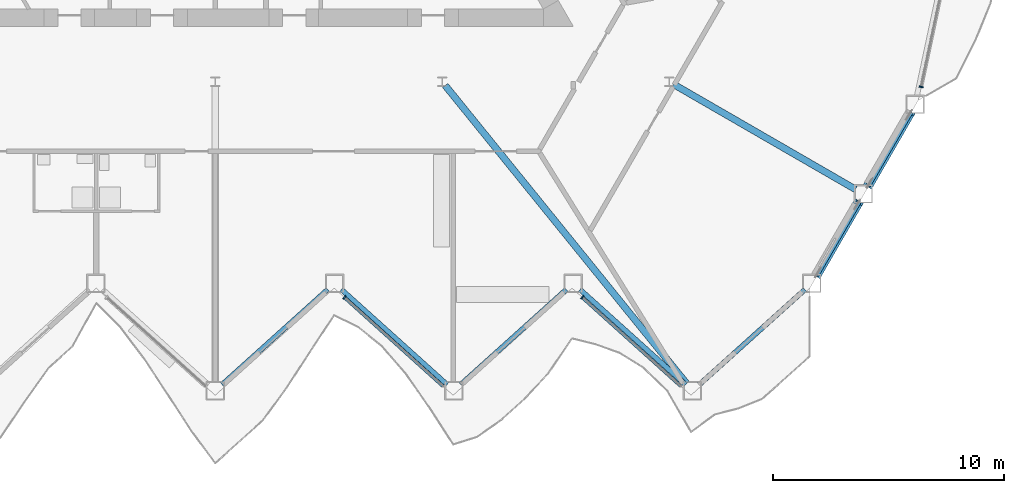
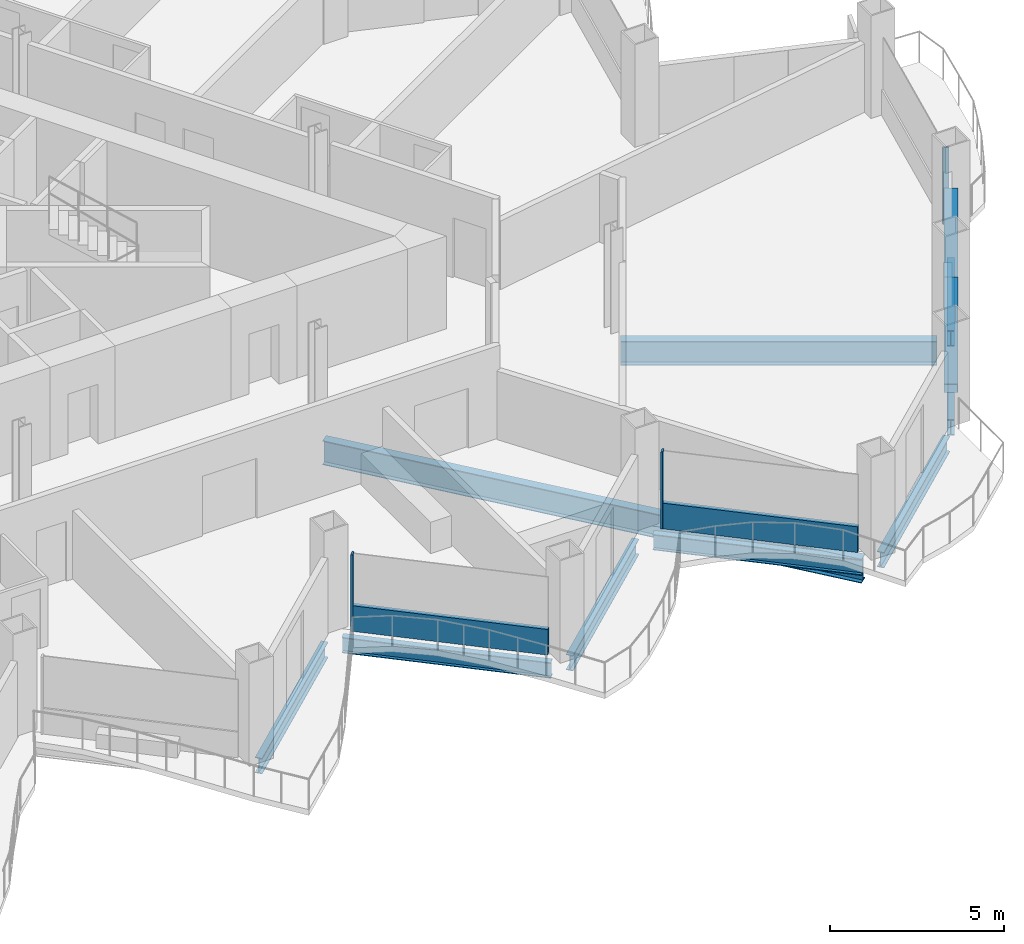
# One storey, part 6 of 24: 9 beams, 7 members, 3 elements without a shape of their own.
"""IFC4 building model written with IfcOpenShell, lengths in metres."""

from ifc_helpers import new_model, si_unit, direction, frame, origin, origin_2d, place, context, subcontext, project, spatial, rectangle, hollow_rectangle, i_section, extrude, material, layer, layer_set, material_profile, profile_set, type_object, element, aggregate, save


model = new_model("IFC4")

# Units and contexts
model_context = context("Model", 3, precision=1e-05, world=origin(), true_north=direction((0.0, 1.0)))
body_context = subcontext(model_context, "Body", "Model", "MODEL_VIEW")
ifc_project = project(units=[si_unit("LENGTHUNIT", "METRE"), si_unit("AREAUNIT", "SQUARE_METRE"), si_unit("VOLUMEUNIT", "CUBIC_METRE"), si_unit("PLANEANGLEUNIT", "RADIAN"), si_unit("MASSUNIT", "GRAM", prefix="KILO")], contexts=[model_context])

# Site, building, storey
site_placement = place(None, origin())
site = spatial("IfcSite", under=ifc_project, at=site_placement, CompositionType="ELEMENT")
building_placement = place(site_placement, origin())
building = spatial("IfcBuilding", under=site, at=building_placement, Name="Cormorant Prow Tower", CompositionType="ELEMENT")
storey_placement = place(building_placement, frame((0.0, 0.0, 201.60009765625)))
storey = spatial("IfcBuildingStorey", under=building, at=storey_placement, Name="L44", CompositionType="ELEMENT", Elevation=201.60009765625)

# Members
ifc_material_1 = material(Name="Structural steel ASTM A500 Gr C", Category="steel")
ifc_material_profile_1 = material_profile(ifc_material_1, hollow_rectangle(XDim=0.406494140625, YDim=0.406494140625, WallThickness=0.01171875, at=origin_2d()), Name="HSS16x16x1/2")
ifc_profile_set_1 = profile_set([ifc_material_profile_1], Name="Structural steel ASTM A500 Gr C")
member_type_1 = type_object("IfcMemberType", Name="Chamfer brace HSS16x16x1/2", PredefinedType="BRACE", material=ifc_profile_set_1)
member_1_placement = place(storey_placement, frame((26.0322265625, -19.7099609375, 0.739990234375), z_axis=(0.474017648602, 0.820985582338, 0.318260808783), x_axis=(-0.866015628144, 0.500016931523, 0.0)))
element("IfcMember", 1, at=member_1_placement, inside=storey, type_object=member_type_1, Name="Chamfer brace BR2 at ESE00 L44", PredefinedType="BRACE", context=body_context, shape_type="SweptSolid", body=[
    extrude(hollow_rectangle(XDim=0.406494140625, YDim=0.406494140625, WallThickness=0.01171875, at=origin_2d()), origin(), (0.0, 0.0, 1.0), 3.83544921875),
])
member_2_placement = place(storey_placement, frame((28.267333984375, -15.838623046875, 0.739990234375), z_axis=(0.473992878603, 0.821006330213, 0.318244177926), x_axis=(-0.866032413668, 0.499987858329, 0.0)))
element("IfcMember", 2, at=member_2_placement, inside=storey, type_object=member_type_1, Name="Chamfer brace BR2 at ESE01 L44", PredefinedType="BRACE", context=body_context, shape_type="SweptSolid", body=[
    extrude(hollow_rectangle(XDim=0.406494140625, YDim=0.406494140625, WallThickness=0.01171875, at=origin_2d()), origin(), (0.0, 0.0, 1.0), 3.835693359375),
])

# Curtain wall, member
ifc_material_2 = material(Name="Aluminium 6063-T6", Category="aluminium")
ifc_layer = layer(ifc_material_2, 0.179931640625)
ifc_layer_set = layer_set([ifc_layer], Name="Aluminium 6063-T6")
curtain_wall_type = type_object("IfcCurtainWallType", Name="Hotel unitised curtain wall 180", PredefinedType="NOTDEFINED", material=ifc_layer_set)
curtain_wall_1_placement = place(storey_placement, origin())
curtain_wall_1 = element("IfcCurtainWall", 3, at=curtain_wall_1_placement, inside=storey, type_object=curtain_wall_type, Name="Hotel curtain wall S06", PredefinedType="NOTDEFINED")
ifc_material_3 = material(Name="Aluminium 6063-T6", Category="aluminium")
ifc_material_profile_2 = material_profile(ifc_material_3, rectangle(XDim=0.179931640625, YDim=0.06005859375, at=origin_2d()), Name="Hotel mullion 60x180")
ifc_profile_set_2 = profile_set([ifc_material_profile_2], Name="Aluminium 6063-T6")
member_type_2 = type_object("IfcMemberType", Name="Hotel mullion 60x180", PredefinedType="MULLION", material=ifc_profile_set_2)
member_3_placement = place(storey_placement, frame((5.592529296875, -20.68017578125, 0.0), z_axis=(0.0, 0.0, 1.0), x_axis=(0.669130595853, 0.743144834937, 0.0)))
member_3 = element("IfcMember", 4, at=member_3_placement, type_object=member_type_2, Name="Hotel mullion S06", PredefinedType="MULLION", context=body_context, shape_type="SweptSolid", body=[
    extrude(rectangle(XDim=0.179931640625, YDim=0.06005859375, at=origin_2d()), origin(), (0.0, 0.0, 1.0), 2.70068359375),
])

curtain_wall_2_placement = place(storey_placement, origin())
curtain_wall_2 = element("IfcCurtainWall", 5, at=curtain_wall_2_placement, inside=storey, type_object=curtain_wall_type, Name="Hotel curtain wall S08", PredefinedType="NOTDEFINED")
member_4_placement = place(storey_placement, frame((15.888427734375, -20.68017578125, 0.0), z_axis=(0.0, 0.0, 1.0), x_axis=(0.669130667631, 0.743144770308, 0.0)))
member_4 = element("IfcMember", 6, at=member_4_placement, type_object=member_type_2, Name="Hotel mullion S08", PredefinedType="MULLION", context=body_context, shape_type="SweptSolid", body=[
    extrude(rectangle(XDim=0.179931640625, YDim=0.06005859375, at=origin_2d()), origin(), (0.0, 0.0, 1.0), 2.70068359375),
])

curtain_wall_3_placement = place(storey_placement, origin())
curtain_wall_3 = element("IfcCurtainWall", 7, at=curtain_wall_3_placement, inside=storey, type_object=curtain_wall_type, Name="Hotel curtain wall ENE00", PredefinedType="NOTDEFINED")
member_5_placement = place(storey_placement, frame((30.557373046875, -11.566650390625, 0.0), z_axis=(0.0, 0.0, 1.0), x_axis=(-0.978147605448, 0.207911668641, 0.0)))
member_5 = element("IfcMember", 8, at=member_5_placement, type_object=member_type_2, Name="Hotel mullion ENE00", PredefinedType="MULLION", context=body_context, shape_type="SweptSolid", body=[
    extrude(rectangle(XDim=0.179931640625, YDim=0.06005859375, at=origin_2d()), origin(), (0.0, 0.0, 1.0), 2.70068359375),
])
aggregate(curtain_wall_3, [member_5])

# Member
ifc_material_4 = material(Name="Terracotta", Category="masonry")
ifc_material_profile_3 = material_profile(ifc_material_4, rectangle(XDim=0.139892578125, YDim=0.89990234375, at=origin_2d()), Name="Hotel terracotta spandrel rail 140x900")
ifc_profile_set_3 = profile_set([ifc_material_profile_3], Name="Terracotta")
member_type_3 = type_object("IfcMemberType", Name="Hotel terracotta spandrel rail 140x900", PredefinedType="USERDEFINED", material=ifc_profile_set_3)
member_6_placement = place(storey_placement, frame((5.61474609375, -20.7001953125, 0.449951171875), z_axis=(0.743154335217, -0.669120044572, 0.0), x_axis=(0.669120044572, 0.743154335217, 0.0)))
member_6 = element("IfcMember", 9, at=member_6_placement, type_object=member_type_3, Name="Hotel spandrel rail S06", ObjectType="TRANSOM", PredefinedType="USERDEFINED", context=body_context, shape_type="SweptSolid", body=[
    extrude(rectangle(XDim=0.139892578125, YDim=0.89990234375, at=origin_2d()), origin(), (0.0, 0.0, 1.0), 5.7314453125),
])

aggregate(curtain_wall_1, [member_3, member_6])

member_7_placement = place(storey_placement, frame((15.910888671875, -20.7001953125, 0.449951171875), z_axis=(0.743135262532, -0.669141226933, 0.0), x_axis=(0.669141226933, 0.743135262532, 0.0)))
member_7 = element("IfcMember", 10, at=member_7_placement, type_object=member_type_3, Name="Hotel spandrel rail S08", ObjectType="TRANSOM", PredefinedType="USERDEFINED", context=body_context, shape_type="SweptSolid", body=[
    extrude(rectangle(XDim=0.139892578125, YDim=0.89990234375, at=origin_2d()), origin(), (0.0, 0.0, 1.0), 5.731201171875),
])

aggregate(curtain_wall_2, [member_4, member_7])

# Beams
ifc_material_5 = material(Name="Structural steel ASTM A992 Gr 50", Category="steel")
ifc_material_profile_4 = material_profile(ifc_material_5, i_section(OverallWidth=0.29296875, OverallDepth=0.845703125, WebThickness=0.015380859375, FlangeThickness=0.0244140625, at=origin_2d()), Name="W33x141")
ifc_profile_set_4 = profile_set([ifc_material_profile_4], Name="Structural steel ASTM A992 Gr 50")
beam_type_1 = type_object("IfcBeamType", Name="Radial floor beam W33x141", PredefinedType="BEAM", material=ifc_profile_set_4)
beam_1_placement = place(storey_placement, frame((9.95654296875, -11.50732421875, -0.77294921875), z_axis=(0.629385162657, -0.777093505974, 0.0), x_axis=(0.777093505974, 0.629385162657, 0.0)))
element("IfcBeam", 11, at=beam_1_placement, inside=storey, type_object=beam_type_1, Name="Radial floor beam FB2 8 L44", PredefinedType="BEAM", context=body_context, shape_type="SweptSolid", body=[
    extrude(i_section(OverallWidth=0.29296875, OverallDepth=0.845703125, WebThickness=0.015380859375, FlangeThickness=0.0244140625, at=origin_2d()), origin(), (0.0, 0.0, 1.0), 16.6044921875),
])
beam_2_placement = place(storey_placement, frame((19.833251953125, -11.45068359375, -0.77294921875), z_axis=(0.866023373109, -0.500003517217, 0.0), x_axis=(0.500003517217, 0.866023373109, 0.0)))
element("IfcBeam", 12, at=beam_2_placement, inside=storey, type_object=beam_type_1, Name="Radial floor beam FB2 9 L44", PredefinedType="BEAM", context=body_context, shape_type="SweptSolid", body=[
    extrude(i_section(OverallWidth=0.29296875, OverallDepth=0.845703125, WebThickness=0.015380859375, FlangeThickness=0.0244140625, at=origin_2d()), origin(), (0.0, 0.0, 1.0), 9.09814453125),
])
ifc_material_6 = material(Name="Structural steel ASTM A992 Gr 50", Category="steel")
ifc_material_profile_5 = material_profile(ifc_material_6, i_section(OverallWidth=0.2138671875, OverallDepth=0.549072265625, WebThickness=0.0146484375, FlangeThickness=0.023681640625, at=origin_2d()), Name="W21x93")
ifc_profile_set_5 = profile_set([ifc_material_profile_5], Name="Structural steel ASTM A992 Gr 50")
beam_type_2 = type_object("IfcBeamType", Name="Spandrel beam W21x93", PredefinedType="SPANDREL", material=ifc_profile_set_5)
beam_3_placement = place(storey_placement, frame((0.29736328125, -24.453857421875, -0.624755859375), z_axis=(0.743138178716, 0.669137988261, 0.0), x_axis=(-0.669137988261, 0.743138178716, 0.0)))
element("IfcBeam", 13, at=beam_3_placement, inside=storey, type_object=beam_type_2, Name="Spandrel beam SB2 S05-S06 L44", PredefinedType="SPANDREL", context=body_context, shape_type="SweptSolid", body=[
    extrude(i_section(OverallWidth=0.2138671875, OverallDepth=0.549072265625, WebThickness=0.0146484375, FlangeThickness=0.023681640625, at=origin_2d()), origin(), (0.0, 0.0, 1.0), 6.149658203125),
])
beam_4_placement = place(storey_placement, frame((5.4619140625, -20.3388671875, -0.624755859375), z_axis=(0.743155953285, -0.669118247469, 0.0), x_axis=(0.669118247469, 0.743155953285, 0.0)))
element("IfcBeam", 14, at=beam_4_placement, inside=storey, type_object=beam_type_2, Name="Spandrel beam SB2 S06-S07 L44", PredefinedType="SPANDREL", context=body_context, shape_type="SweptSolid", body=[
    extrude(i_section(OverallWidth=0.2138671875, OverallDepth=0.549072265625, WebThickness=0.0146484375, FlangeThickness=0.023681640625, at=origin_2d()), origin(), (0.0, 0.0, 1.0), 6.14990234375),
])
for number, where, z_axis, x_axis, name in (
    (15, (10.626708984375, -24.453857421875, -0.624755859375), (0.743138178716, 0.669137988261, 0.0), (-0.669137988261, 0.743138178716, 0.0), "Spandrel beam SB2 S07-S08 L44"),
    (16, (15.79150390625, -20.3388671875, -0.624755859375), (0.743138178716, -0.669137988261, 0.0), (0.669137988261, 0.743138178716, 0.0), "Spandrel beam SB2 S08-S09 L44"),
):
    element("IfcBeam", number, at=place(storey_placement, frame(where, z_axis=z_axis, x_axis=x_axis)), inside=storey, type_object=beam_type_2, Name=name, PredefinedType="SPANDREL", context=body_context, shape_type="SweptSolid", body=[
        extrude(i_section(OverallWidth=0.2138671875, OverallDepth=0.549072265625, WebThickness=0.0146484375, FlangeThickness=0.023681640625, at=origin_2d()), origin(), (0.0, 0.0, 1.0), 6.149658203125),
    ])
beam_5_placement = place(storey_placement, frame((20.9560546875, -24.453857421875, -0.624755859375), z_axis=(0.743155953285, 0.669118247469, 0.0), x_axis=(-0.669118247469, 0.743155953285, 0.0)))
element("IfcBeam", 17, at=beam_5_placement, inside=storey, type_object=beam_type_2, Name="Spandrel beam SB2 S09-ESE00 L44", PredefinedType="SPANDREL", context=body_context, shape_type="SweptSolid", body=[
    extrude(i_section(OverallWidth=0.2138671875, OverallDepth=0.549072265625, WebThickness=0.0146484375, FlangeThickness=0.023681640625, at=origin_2d()), origin(), (0.0, 0.0, 1.0), 6.14990234375),
])
for number, where, z_axis, x_axis, name in (
    (18, (26.023681640625, -19.724853515625, -0.624755859375), (0.499994986164, 0.866028298505, 0.0), (-0.866028298505, 0.499994986164, 0.0), "Spandrel beam SB2 ESE00-ESE01 L44"),
    (19, (28.2587890625, -15.853271484375, -0.624755859375), (0.499994986164, 0.866028298505, 0.0), (-0.866028298505, 0.499994986164, 0.0), "Spandrel beam SB2 ESE01-ENE00 L44"),
):
    element("IfcBeam", number, at=place(storey_placement, frame(where, z_axis=z_axis, x_axis=x_axis)), inside=storey, type_object=beam_type_2, Name=name, PredefinedType="SPANDREL", context=body_context, shape_type="SweptSolid", body=[
        extrude(i_section(OverallWidth=0.2138671875, OverallDepth=0.549072265625, WebThickness=0.0146484375, FlangeThickness=0.023681640625, at=origin_2d()), origin(), (0.0, 0.0, 1.0), 3.67041015625),
    ])

save(model, "model.ifc")
